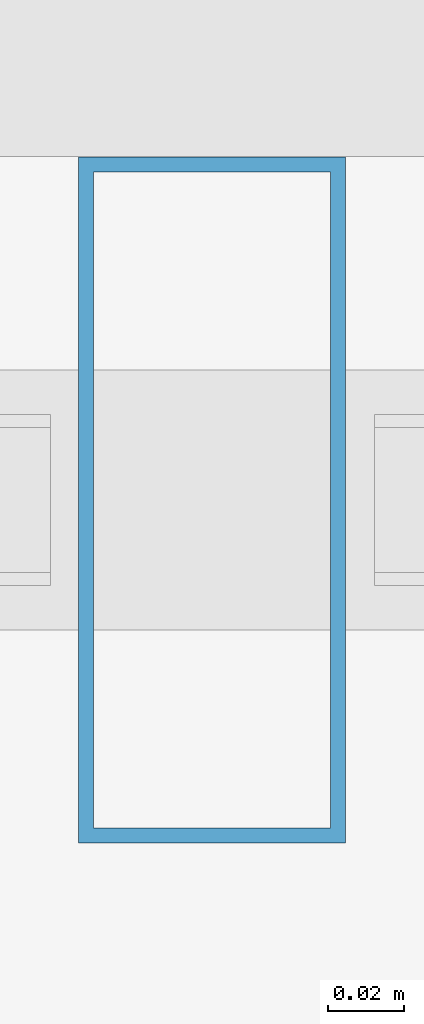
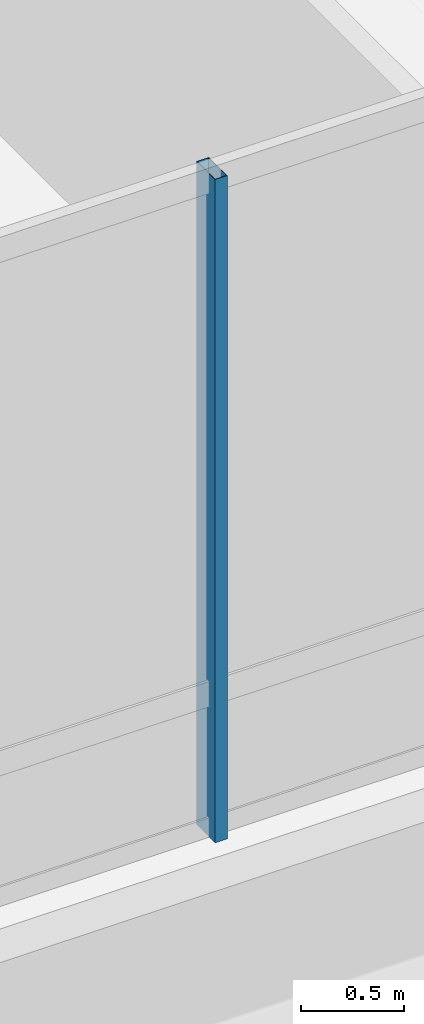
# One storey, part 4 of 46: 1 member, 1 element without a shape of its own.
"""IFC4 building model written with IfcOpenShell, lengths in metres."""

from ifc_helpers import new_model, si_unit, direction, frame, origin, origin_2d, place, context, subcontext, project, spatial, hollow_rectangle, extrude, material, material_profile, profile_set, type_object, element, aggregate, save


model = new_model("IFC4")

# Units and contexts
model_context = context("Model", 3, precision=1e-05, world=origin(), true_north=direction((0.0, 1.0)))
body_context = subcontext(model_context, "Body", "Model", "MODEL_VIEW")
ifc_project = project(units=[si_unit("LENGTHUNIT", "METRE"), si_unit("AREAUNIT", "SQUARE_METRE"), si_unit("VOLUMEUNIT", "CUBIC_METRE"), si_unit("PLANEANGLEUNIT", "RADIAN"), si_unit("MASSUNIT", "GRAM", prefix="KILO")], contexts=[model_context])

# Site, building, storey
site_placement = place(None, origin())
site = spatial("IfcSite", under=ifc_project, at=site_placement, CompositionType="ELEMENT")
building_placement = place(site_placement, origin())
building = spatial("IfcBuilding", under=site, at=building_placement, Name="Punatoya Terracotta Tower", CompositionType="ELEMENT")
storey_placement = place(building_placement, frame((0.0, 0.0, 330.0)))
storey = spatial("IfcBuildingStorey", under=building, at=storey_placement, Name="L78", CompositionType="ELEMENT", Elevation=330.0)

# Curtain wall, member
ifc_material_1 = material(Name="Aluminium 6063-T6 + Double Low-E Glass", Category="aluminium")
curtain_wall_type = type_object("IfcCurtainWallType", Name="CW-OBS", PredefinedType="NOTDEFINED", material=ifc_material_1)
curtain_wall_placement = place(storey_placement, origin())
curtain_wall = element("IfcCurtainWall", 1, at=curtain_wall_placement, inside=storey, type_object=curtain_wall_type, Name="L78 Curtain Wall CW-L78-S01-1", PredefinedType="NOTDEFINED")
ifc_material_2 = material(Name="Aluminium 6063-T6", Category="aluminium")
ifc_material_profile = material_profile(ifc_material_2, hollow_rectangle(XDim=0.070068359375, YDim=0.179931640625, WallThickness=0.00390625, at=origin_2d()))
ifc_profile_set = profile_set([ifc_material_profile], Name="Aluminium 6063-T6")
member_type = type_object("IfcMemberType", Name="CW-MUL-M3", PredefinedType="MULLION", material=ifc_profile_set)
member_placement = place(storey_placement, frame((-11.40478515625, -23.25, 0.0), z_axis=(0.0, 0.0, 1.0), x_axis=(1.0, 0.0, 0.0)))
member = element("IfcMember", 2, at=member_placement, type_object=member_type, Name="CW-L78-S01-1 Mullion 03", PredefinedType="MULLION", context=body_context, shape_type="SweptSolid", body=[
    extrude(hollow_rectangle(XDim=0.070068359375, YDim=0.179931640625, WallThickness=0.00390625, at=origin_2d()), origin(), (0.0, 0.0, 1.0), 3.93994140625),
])
aggregate(curtain_wall, [member])

save(model, "model.ifc")
